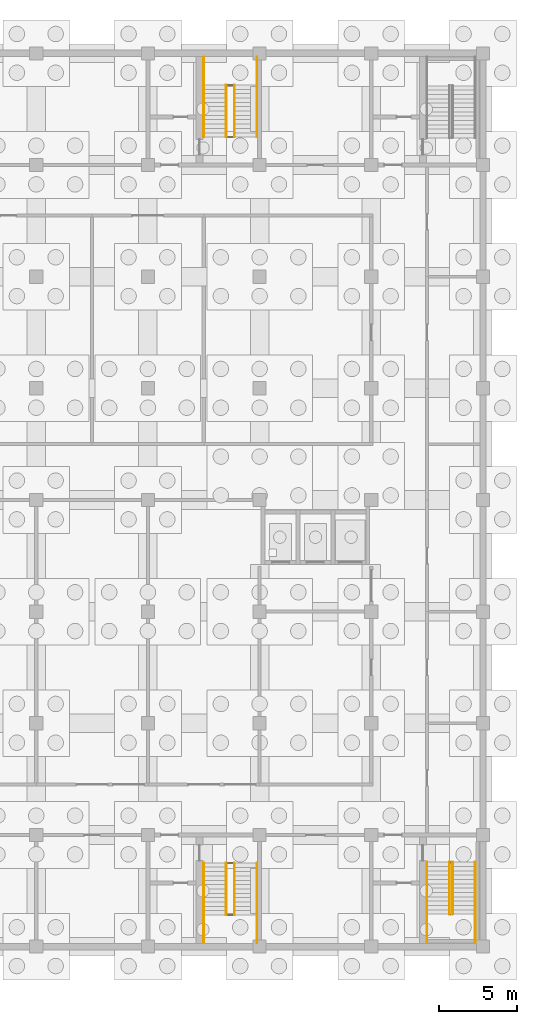
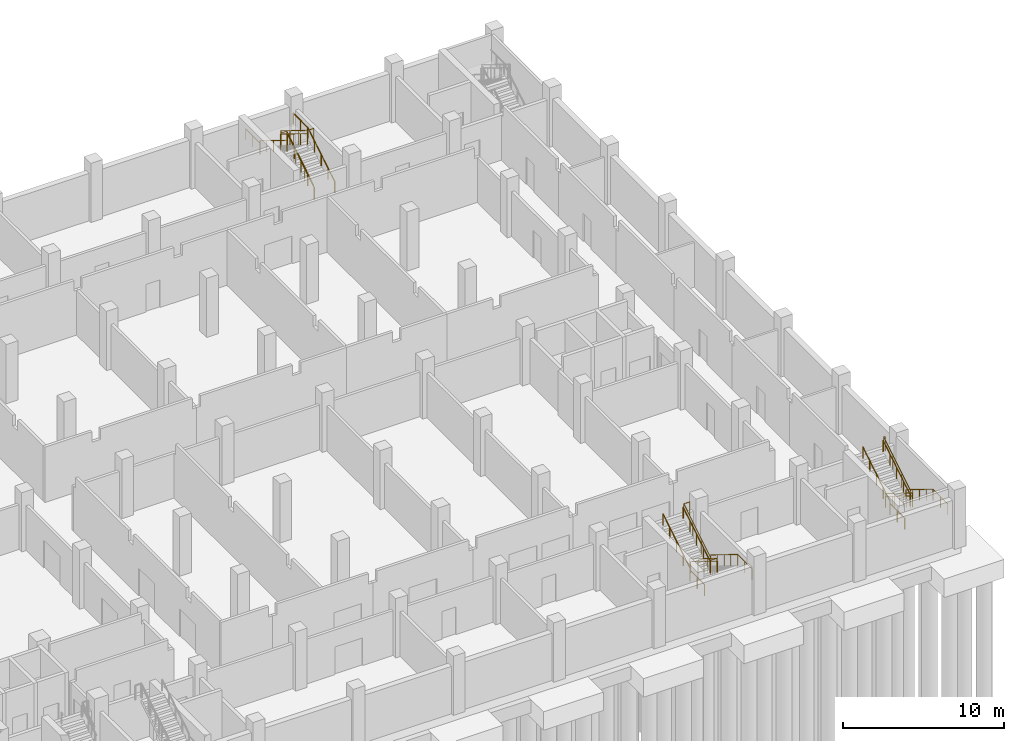
# One storey, part 17 of 19: 15 railings.
"""IFC4 building model written with IfcOpenShell, lengths in metres."""

from ifc_helpers import new_model, si_unit, direction, frame, origin, origin_2d, place, context, subcontext, project, spatial, circle, extrude, material, type_object, element, save


model = new_model("IFC4")

# Units and contexts
model_context = context("Model", 3, precision=1e-05, world=origin(), true_north=direction((0.0, 1.0)))
body_context = subcontext(model_context, "Body", "Model", "MODEL_VIEW")
ifc_project = project(units=[si_unit("LENGTHUNIT", "METRE"), si_unit("AREAUNIT", "SQUARE_METRE"), si_unit("VOLUMEUNIT", "CUBIC_METRE"), si_unit("PLANEANGLEUNIT", "RADIAN"), si_unit("MASSUNIT", "GRAM", prefix="KILO")], contexts=[model_context])

# Site, building, storey
site_placement = place(None, origin())
site = spatial("IfcSite", under=ifc_project, at=site_placement, CompositionType="ELEMENT")
building_placement = place(site_placement, origin())
building = spatial("IfcBuilding", under=site, at=building_placement, Name="Silangan Lancet Faculty of Sciences", CompositionType="ELEMENT")
storey_placement = place(building_placement, frame((0.0, 0.0, -4.5)))
storey = spatial("IfcBuildingStorey", under=building, at=storey_placement, Name="B1", CompositionType="ELEMENT", Elevation=-4.5)

# Railings
ifc_material_1 = material(Name="Steel balustrade", Category="steel")
railing_type_1 = type_object("IfcRailingType", Name="STAIR GUARD 1100", PredefinedType="GUARDRAIL", material=ifc_material_1)
railing_1_placement = place(storey_placement, frame((84.39990234375, 5.449951171875, 0.173095703125)))
element("IfcRailing", 1, at=railing_1_placement, inside=storey, type_object=railing_type_1, Name="GUARD-EB-A-B1", PredefinedType="GUARDRAIL", context=body_context, shape_type="SweptSolid", body=[
    extrude(circle(Radius=0.02392578125, at=origin_2d()), frame((0.0, 0.0, 1.076171875), z_axis=(0.0, -0.850606129759, 0.525803396734), x_axis=(1.0, 0.0, 0.0)), (0.0, 0.0, 1.0), 3.949951171875),
    extrude(circle(Radius=0.02392578125, at=origin_2d()), frame((0.0, -3.35986328125, 3.15283203125), z_axis=(-1.0, 0.0, 0.0), x_axis=(0.0, -1.0, 0.0)), (0.0, 0.0, 1.0), 0.099853515625),
    extrude(circle(Radius=0.02392578125, at=origin_2d()), frame((-0.099853515625, -3.35986328125, 3.15283203125), z_axis=(0.0, 0.0, 1.0), x_axis=(1.0, 0.0, 0.0)), (0.0, 0.0, 1.0), 0.173095703125),
    extrude(circle(Radius=0.02392578125, at=origin_2d()), frame((-0.099853515625, -3.35986328125, 3.326171875), z_axis=(0.0, 0.850606129759, 0.525803396734), x_axis=(-1.0, 0.0, 0.0)), (0.0, 0.0, 1.0), 3.949951171875),
    extrude(circle(Radius=0.02392578125, at=origin_2d()), frame((-0.099853515625, 0.0, 5.40283203125), z_axis=(1.0, 0.0, 0.0), x_axis=(0.0, 1.0, 0.0)), (0.0, 0.0, 1.0), 0.099853515625),
    extrude(circle(Radius=0.02099609375, at=origin_2d()), origin(), (0.0, 0.0, 1.0), 1.052001953125),
    extrude(circle(Radius=0.02099609375, at=origin_2d()), frame((0.0, -1.119873046875, 0.6923828125)), (0.0, 0.0, 1.0), 1.052001953125),
    extrude(circle(Radius=0.02099609375, at=origin_2d()), frame((0.0, -2.239990234375, 1.384521484375)), (0.0, 0.0, 1.0), 1.052001953125),
    extrude(circle(Radius=0.02099609375, at=origin_2d()), frame((0.0, -3.35986328125, 2.076904296875)), (0.0, 0.0, 1.0), 1.052001953125),
    extrude(circle(Radius=0.02099609375, at=origin_2d()), frame((-0.099853515625, -3.35986328125, 2.076904296875)), (0.0, 0.0, 1.0), 1.052001953125),
    extrude(circle(Radius=0.02099609375, at=origin_2d()), frame((-0.099853515625, -3.35986328125, 2.25)), (0.0, 0.0, 1.0), 1.052001953125),
    extrude(circle(Radius=0.02099609375, at=origin_2d()), frame((-0.099853515625, -2.239990234375, 2.9423828125)), (0.0, 0.0, 1.0), 1.052001953125),
    extrude(circle(Radius=0.02099609375, at=origin_2d()), frame((-0.099853515625, -1.119873046875, 3.634521484375)), (0.0, 0.0, 1.0), 1.052001953125),
    extrude(circle(Radius=0.02099609375, at=origin_2d()), frame((-0.099853515625, 0.0, 4.326904296875)), (0.0, 0.0, 1.0), 1.052001953125),
    extrude(circle(Radius=0.02099609375, at=origin_2d()), frame((0.0, 0.0, 4.326904296875)), (0.0, 0.0, 1.0), 1.052001953125),
])
railing_2_placement = place(storey_placement, frame((70.324951171875, 52.199951171875, 0.173095703125)))
element("IfcRailing", 2, at=railing_2_placement, inside=storey, type_object=railing_type_1, Name="GUARD-NAB-B-B1", PredefinedType="GUARDRAIL", context=body_context, shape_type="SweptSolid", body=[
    extrude(circle(Radius=0.02392578125, at=origin_2d()), frame((0.0, 0.0, 1.076171875), z_axis=(0.0, 0.850623216509, 0.525775754039), x_axis=(-1.0, 0.0, 0.0)), (0.0, 0.0, 1.0), 3.9501953125),
    extrude(circle(Radius=0.02392578125, at=origin_2d()), frame((0.0, 3.360107421875, 3.15283203125), z_axis=(-1.0, 0.0, 0.0), x_axis=(0.0, -1.0, 0.0)), (0.0, 0.0, 1.0), 0.425048828125),
    extrude(circle(Radius=0.02392578125, at=origin_2d()), frame((-0.425048828125, 3.360107421875, 3.15283203125), z_axis=(0.0, 0.0, 1.0), x_axis=(1.0, 0.0, 0.0)), (0.0, 0.0, 1.0), 0.173095703125),
    extrude(circle(Radius=0.02392578125, at=origin_2d()), frame((-0.425048828125, 3.360107421875, 3.326171875), z_axis=(0.0, -0.850623216509, 0.525775754039), x_axis=(1.0, 0.0, 0.0)), (0.0, 0.0, 1.0), 3.9501953125),
    extrude(circle(Radius=0.02392578125, at=origin_2d()), frame((-0.425048828125, 0.0, 5.40283203125), z_axis=(1.0, 0.0, 0.0), x_axis=(0.0, 1.0, 0.0)), (0.0, 0.0, 1.0), 0.425048828125),
    extrude(circle(Radius=0.02099609375, at=origin_2d()), origin(), (0.0, 0.0, 1.0), 1.052001953125),
    extrude(circle(Radius=0.02099609375, at=origin_2d()), frame((0.0, 1.1201171875, 0.6923828125)), (0.0, 0.0, 1.0), 1.052001953125),
    extrude(circle(Radius=0.02099609375, at=origin_2d()), frame((0.0, 2.239990234375, 1.384521484375)), (0.0, 0.0, 1.0), 1.052001953125),
    extrude(circle(Radius=0.02099609375, at=origin_2d()), frame((0.0, 3.360107421875, 2.076904296875)), (0.0, 0.0, 1.0), 1.052001953125),
    extrude(circle(Radius=0.02099609375, at=origin_2d()), frame((-0.425048828125, 3.360107421875, 2.076904296875)), (0.0, 0.0, 1.0), 1.052001953125),
    extrude(circle(Radius=0.02099609375, at=origin_2d()), frame((-0.425048828125, 3.360107421875, 2.25)), (0.0, 0.0, 1.0), 1.052001953125),
    extrude(circle(Radius=0.02099609375, at=origin_2d()), frame((-0.425048828125, 2.239990234375, 2.9423828125)), (0.0, 0.0, 1.0), 1.052001953125),
    extrude(circle(Radius=0.02099609375, at=origin_2d()), frame((-0.425048828125, 1.1201171875, 3.634521484375)), (0.0, 0.0, 1.0), 1.052001953125),
    extrude(circle(Radius=0.02099609375, at=origin_2d()), frame((-0.425048828125, 0.0, 4.326904296875)), (0.0, 0.0, 1.0), 1.052001953125),
    extrude(circle(Radius=0.02099609375, at=origin_2d()), frame((0.0, 0.0, 4.326904296875)), (0.0, 0.0, 1.0), 1.052001953125),
])
railing_3_placement = place(storey_placement, frame((70.324951171875, 5.39990234375, 0.173095703125)))
element("IfcRailing", 3, at=railing_3_placement, inside=storey, type_object=railing_type_1, Name="GUARD-SAB-B-B1", PredefinedType="GUARDRAIL", context=body_context, shape_type="SweptSolid", body=[
    extrude(circle(Radius=0.02392578125, at=origin_2d()), frame((0.0, 0.0, 1.076171875), z_axis=(0.0, -0.850606129759, 0.525803396734), x_axis=(1.0, 0.0, 0.0)), (0.0, 0.0, 1.0), 3.949951171875),
    extrude(circle(Radius=0.02392578125, at=origin_2d()), frame((0.0, -3.35986328125, 3.15283203125), z_axis=(-1.0, 0.0, 0.0), x_axis=(0.0, -1.0, 0.0)), (0.0, 0.0, 1.0), 0.425048828125),
    extrude(circle(Radius=0.02392578125, at=origin_2d()), frame((-0.425048828125, -3.35986328125, 3.15283203125), z_axis=(0.0, 0.0, 1.0), x_axis=(1.0, 0.0, 0.0)), (0.0, 0.0, 1.0), 0.173095703125),
    extrude(circle(Radius=0.02392578125, at=origin_2d()), frame((-0.425048828125, -3.35986328125, 3.326171875), z_axis=(0.0, 0.850606129759, 0.525803396734), x_axis=(-1.0, 0.0, 0.0)), (0.0, 0.0, 1.0), 3.949951171875),
    extrude(circle(Radius=0.02392578125, at=origin_2d()), frame((-0.425048828125, 0.0, 5.40283203125), z_axis=(1.0, 0.0, 0.0), x_axis=(0.0, 1.0, 0.0)), (0.0, 0.0, 1.0), 0.425048828125),
    extrude(circle(Radius=0.02099609375, at=origin_2d()), origin(), (0.0, 0.0, 1.0), 1.052001953125),
    extrude(circle(Radius=0.02099609375, at=origin_2d()), frame((0.0, -1.119873046875, 0.6923828125)), (0.0, 0.0, 1.0), 1.052001953125),
    extrude(circle(Radius=0.02099609375, at=origin_2d()), frame((0.0, -2.239990234375, 1.384521484375)), (0.0, 0.0, 1.0), 1.052001953125),
    extrude(circle(Radius=0.02099609375, at=origin_2d()), frame((0.0, -3.35986328125, 2.076904296875)), (0.0, 0.0, 1.0), 1.052001953125),
    extrude(circle(Radius=0.02099609375, at=origin_2d()), frame((-0.425048828125, -3.35986328125, 2.076904296875)), (0.0, 0.0, 1.0), 1.052001953125),
    extrude(circle(Radius=0.02099609375, at=origin_2d()), frame((-0.425048828125, -3.35986328125, 2.25)), (0.0, 0.0, 1.0), 1.052001953125),
    extrude(circle(Radius=0.02099609375, at=origin_2d()), frame((-0.425048828125, -2.239990234375, 2.9423828125)), (0.0, 0.0, 1.0), 1.052001953125),
    extrude(circle(Radius=0.02099609375, at=origin_2d()), frame((-0.425048828125, -1.119873046875, 3.634521484375)), (0.0, 0.0, 1.0), 1.052001953125),
    extrude(circle(Radius=0.02099609375, at=origin_2d()), frame((-0.425048828125, 0.0, 4.326904296875)), (0.0, 0.0, 1.0), 1.052001953125),
    extrude(circle(Radius=0.02099609375, at=origin_2d()), frame((0.0, 0.0, 4.326904296875)), (0.0, 0.0, 1.0), 1.052001953125),
])
ifc_material_2 = material(Name="Stainless steel", Category="steel")
railing_type_2 = type_object("IfcRailingType", Name="STAIR HANDRAIL 865", PredefinedType="HANDRAIL", material=ifc_material_2)
railing_4_placement = place(storey_placement, frame((85.89990234375, 5.449951171875, 0.173095703125)))
element("IfcRailing", 4, at=railing_4_placement, inside=storey, type_object=railing_type_2, Name="HANDRAIL-EB-A-B1-O1", PredefinedType="HANDRAIL", context=body_context, shape_type="SweptSolid", body=[
    extrude(circle(Radius=0.02392578125, at=origin_2d()), frame((0.0, 0.0, 0.8408203125), z_axis=(0.0, -0.850544299321, 0.52590340833), x_axis=(1.0, 0.0, 0.0)), (0.0, 0.0, 1.0), 0.9873046875),
    extrude(circle(Radius=0.02392578125, at=origin_2d()), frame((0.0, -0.83984375, 1.3603515625), z_axis=(0.0, -0.850723215571, 0.525613936734), x_axis=(1.0, 0.0, 0.0)), (0.0, 0.0, 1.0), 0.987548828125),
    extrude(circle(Radius=0.02392578125, at=origin_2d()), frame((0.0, -1.679931640625, 1.87939453125), z_axis=(0.0, -0.85061266112, 0.525792830631), x_axis=(1.0, 0.0, 0.0)), (0.0, 0.0, 1.0), 0.987548828125),
    extrude(circle(Radius=0.02392578125, at=origin_2d()), frame((0.0, -2.52001953125, 2.3984375), z_axis=(0.0, -0.850544299321, 0.52590340833), x_axis=(1.0, 0.0, 0.0)), (0.0, 0.0, 1.0), 0.9873046875),
    extrude(circle(Radius=0.02392578125, at=origin_2d()), frame((0.0, -3.35986328125, 2.91796875), z_axis=(0.0, -1.0, 0.0), x_axis=(1.0, 0.0, 0.0)), (0.0, 0.0, 1.0), 1.840087890625),
    extrude(circle(Radius=0.02099609375, at=origin_2d()), origin(), (0.0, 0.0, 1.0), 0.81689453125),
    extrude(circle(Radius=0.02099609375, at=origin_2d()), frame((0.0, -0.83984375, 0.519287109375)), (0.0, 0.0, 1.0), 0.81689453125),
    extrude(circle(Radius=0.02099609375, at=origin_2d()), frame((0.0, -1.679931640625, 1.038330078125)), (0.0, 0.0, 1.0), 0.81689453125),
    extrude(circle(Radius=0.02099609375, at=origin_2d()), frame((0.0, -2.52001953125, 1.5576171875)), (0.0, 0.0, 1.0), 0.81689453125),
    extrude(circle(Radius=0.02099609375, at=origin_2d()), frame((0.0, -3.35986328125, 2.076904296875)), (0.0, 0.0, 1.0), 0.81689453125),
    extrude(circle(Radius=0.02099609375, at=origin_2d()), frame((0.0, -4.27978515625, 2.076904296875)), (0.0, 0.0, 1.0), 0.81689453125),
    extrude(circle(Radius=0.02099609375, at=origin_2d()), frame((0.0, -5.199951171875, 2.076904296875)), (0.0, 0.0, 1.0), 0.81689453125),
])
railing_5_placement = place(storey_placement, frame((84.449951171875, 5.449951171875, 0.173095703125)))
element("IfcRailing", 5, at=railing_5_placement, inside=storey, type_object=railing_type_2, Name="HANDRAIL-EB-A-B1-I1", PredefinedType="HANDRAIL", context=body_context, shape_type="SweptSolid", body=[
    extrude(circle(Radius=0.02392578125, at=origin_2d()), frame((0.0, 0.0, 0.8408203125), z_axis=(0.0, -0.850544299321, 0.52590340833), x_axis=(1.0, 0.0, 0.0)), (0.0, 0.0, 1.0), 0.9873046875),
    extrude(circle(Radius=0.02392578125, at=origin_2d()), frame((0.0, -0.83984375, 1.3603515625), z_axis=(0.0, -0.850723215571, 0.525613936734), x_axis=(1.0, 0.0, 0.0)), (0.0, 0.0, 1.0), 0.987548828125),
    extrude(circle(Radius=0.02392578125, at=origin_2d()), frame((0.0, -1.679931640625, 1.87939453125), z_axis=(0.0, -0.85061266112, 0.525792830631), x_axis=(1.0, 0.0, 0.0)), (0.0, 0.0, 1.0), 0.987548828125),
    extrude(circle(Radius=0.02392578125, at=origin_2d()), frame((0.0, -2.52001953125, 2.3984375), z_axis=(0.0, -0.850544299321, 0.52590340833), x_axis=(1.0, 0.0, 0.0)), (0.0, 0.0, 1.0), 0.9873046875),
    extrude(circle(Radius=0.02099609375, at=origin_2d()), origin(), (0.0, 0.0, 1.0), 0.81689453125),
    extrude(circle(Radius=0.02099609375, at=origin_2d()), frame((0.0, -0.83984375, 0.519287109375)), (0.0, 0.0, 1.0), 0.81689453125),
    extrude(circle(Radius=0.02099609375, at=origin_2d()), frame((0.0, -1.679931640625, 1.038330078125)), (0.0, 0.0, 1.0), 0.81689453125),
    extrude(circle(Radius=0.02099609375, at=origin_2d()), frame((0.0, -2.52001953125, 1.5576171875)), (0.0, 0.0, 1.0), 0.81689453125),
    extrude(circle(Radius=0.02099609375, at=origin_2d()), frame((0.0, -3.35986328125, 2.076904296875)), (0.0, 0.0, 1.0), 0.81689453125),
])
railing_6_placement = place(storey_placement, frame((82.800048828125, 0.25, 2.25)))
element("IfcRailing", 6, at=railing_6_placement, inside=storey, type_object=railing_type_2, Name="HANDRAIL-EB-A-B1-O2", PredefinedType="HANDRAIL", context=body_context, shape_type="SweptSolid", body=[
    extrude(circle(Radius=0.02392578125, at=origin_2d()), frame((0.0, 0.0, 0.8408203125), z_axis=(0.0, 1.0, 0.0), x_axis=(-1.0, 0.0, 0.0)), (0.0, 0.0, 1.0), 1.840087890625),
    extrude(circle(Radius=0.02392578125, at=origin_2d()), frame((0.0, 1.840087890625, 0.8408203125), z_axis=(0.0, 0.0, 1.0), x_axis=(1.0, 0.0, 0.0)), (0.0, 0.0, 1.0), 0.173095703125),
    extrude(circle(Radius=0.02392578125, at=origin_2d()), frame((0.0, 1.840087890625, 1.01416015625), z_axis=(0.0, 0.850544299321, 0.52590340833), x_axis=(-1.0, 0.0, 0.0)), (0.0, 0.0, 1.0), 0.9873046875),
    extrude(circle(Radius=0.02392578125, at=origin_2d()), frame((0.0, 2.679931640625, 1.533203125), z_axis=(0.0, 0.850723215571, 0.525613936734), x_axis=(-1.0, 0.0, 0.0)), (0.0, 0.0, 1.0), 0.987548828125),
    extrude(circle(Radius=0.02392578125, at=origin_2d()), frame((0.0, 3.52001953125, 2.05224609375), z_axis=(0.0, 0.85061266112, 0.525792830631), x_axis=(-1.0, 0.0, 0.0)), (0.0, 0.0, 1.0), 0.987548828125),
    extrude(circle(Radius=0.02392578125, at=origin_2d()), frame((0.0, 4.360107421875, 2.57177734375), z_axis=(0.0, 0.850544299321, 0.52590340833), x_axis=(-1.0, 0.0, 0.0)), (0.0, 0.0, 1.0), 0.9873046875),
    extrude(circle(Radius=0.02099609375, at=origin_2d()), origin(), (0.0, 0.0, 1.0), 0.81689453125),
    extrude(circle(Radius=0.02099609375, at=origin_2d()), frame((0.0, 0.919921875, 0.0)), (0.0, 0.0, 1.0), 0.81689453125),
    extrude(circle(Radius=0.02099609375, at=origin_2d()), frame((0.0, 1.840087890625, 0.0)), (0.0, 0.0, 1.0), 0.81689453125),
    extrude(circle(Radius=0.02099609375, at=origin_2d()), frame((0.0, 1.840087890625, 0.173095703125)), (0.0, 0.0, 1.0), 0.81689453125),
    extrude(circle(Radius=0.02099609375, at=origin_2d()), frame((0.0, 2.679931640625, 0.6923828125)), (0.0, 0.0, 1.0), 0.81689453125),
    extrude(circle(Radius=0.02099609375, at=origin_2d()), frame((0.0, 3.52001953125, 1.21142578125)), (0.0, 0.0, 1.0), 0.81689453125),
    extrude(circle(Radius=0.02099609375, at=origin_2d()), frame((0.0, 4.360107421875, 1.730712890625)), (0.0, 0.0, 1.0), 0.81689453125),
    extrude(circle(Radius=0.02099609375, at=origin_2d()), frame((0.0, 5.199951171875, 2.25)), (0.0, 0.0, 1.0), 0.81689453125),
])
railing_7_placement = place(storey_placement, frame((84.25, 2.090087890625, 2.423095703125)))
element("IfcRailing", 7, at=railing_7_placement, inside=storey, type_object=railing_type_2, Name="HANDRAIL-EB-A-B1-I2", PredefinedType="HANDRAIL", context=body_context, shape_type="SweptSolid", body=[
    extrude(circle(Radius=0.02392578125, at=origin_2d()), frame((0.0, 0.0, 0.8408203125), z_axis=(0.0, 0.850544299321, 0.52590340833), x_axis=(-1.0, 0.0, 0.0)), (0.0, 0.0, 1.0), 0.9873046875),
    extrude(circle(Radius=0.02392578125, at=origin_2d()), frame((0.0, 0.83984375, 1.3603515625), z_axis=(0.0, 0.850723215571, 0.525613936734), x_axis=(-1.0, 0.0, 0.0)), (0.0, 0.0, 1.0), 0.987548828125),
    extrude(circle(Radius=0.02392578125, at=origin_2d()), frame((0.0, 1.679931640625, 1.87939453125), z_axis=(0.0, 0.85061266112, 0.525792830631), x_axis=(-1.0, 0.0, 0.0)), (0.0, 0.0, 1.0), 0.987548828125),
    extrude(circle(Radius=0.02392578125, at=origin_2d()), frame((0.0, 2.52001953125, 2.3984375), z_axis=(0.0, 0.850544299321, 0.52590340833), x_axis=(-1.0, 0.0, 0.0)), (0.0, 0.0, 1.0), 0.9873046875),
    extrude(circle(Radius=0.02099609375, at=origin_2d()), origin(), (0.0, 0.0, 1.0), 0.81689453125),
    extrude(circle(Radius=0.02099609375, at=origin_2d()), frame((0.0, 0.83984375, 0.519287109375)), (0.0, 0.0, 1.0), 0.81689453125),
    extrude(circle(Radius=0.02099609375, at=origin_2d()), frame((0.0, 1.679931640625, 1.038330078125)), (0.0, 0.0, 1.0), 0.81689453125),
    extrude(circle(Radius=0.02099609375, at=origin_2d()), frame((0.0, 2.52001953125, 1.5576171875)), (0.0, 0.0, 1.0), 0.81689453125),
    extrude(circle(Radius=0.02099609375, at=origin_2d()), frame((0.0, 3.35986328125, 2.076904296875)), (0.0, 0.0, 1.0), 0.81689453125),
])
railing_8_placement = place(storey_placement, frame((71.824951171875, 52.199951171875, 0.173095703125)))
element("IfcRailing", 8, at=railing_8_placement, inside=storey, type_object=railing_type_2, Name="HANDRAIL-NAB-B-B1-O1", PredefinedType="HANDRAIL", context=body_context, shape_type="SweptSolid", body=[
    extrude(circle(Radius=0.02392578125, at=origin_2d()), frame((0.0, 0.0, 0.8408203125), z_axis=(0.0, 0.85061266112, 0.525792830631), x_axis=(-1.0, 0.0, 0.0)), (0.0, 0.0, 1.0), 0.987548828125),
    extrude(circle(Radius=0.02392578125, at=origin_2d()), frame((0.0, 0.840087890625, 1.3603515625), z_axis=(0.0, 0.850654891397, 0.525724505556), x_axis=(-1.0, 0.0, 0.0)), (0.0, 0.0, 1.0), 0.9873046875),
    extrude(circle(Radius=0.02392578125, at=origin_2d()), frame((0.0, 1.679931640625, 1.87939453125), z_axis=(0.0, 0.85061266112, 0.525792830631), x_axis=(-1.0, 0.0, 0.0)), (0.0, 0.0, 1.0), 0.987548828125),
    extrude(circle(Radius=0.02392578125, at=origin_2d()), frame((0.0, 2.52001953125, 2.3984375), z_axis=(0.0, 0.85061266112, 0.525792830631), x_axis=(-1.0, 0.0, 0.0)), (0.0, 0.0, 1.0), 0.987548828125),
    extrude(circle(Radius=0.02392578125, at=origin_2d()), frame((0.0, 3.360107421875, 2.91796875), z_axis=(0.0, 1.0, 0.0), x_axis=(-1.0, 0.0, 0.0)), (0.0, 0.0, 1.0), 1.7900390625),
    extrude(circle(Radius=0.02099609375, at=origin_2d()), origin(), (0.0, 0.0, 1.0), 0.81689453125),
    extrude(circle(Radius=0.02099609375, at=origin_2d()), frame((0.0, 0.840087890625, 0.519287109375)), (0.0, 0.0, 1.0), 0.81689453125),
    extrude(circle(Radius=0.02099609375, at=origin_2d()), frame((0.0, 1.679931640625, 1.038330078125)), (0.0, 0.0, 1.0), 0.81689453125),
    extrude(circle(Radius=0.02099609375, at=origin_2d()), frame((0.0, 2.52001953125, 1.5576171875)), (0.0, 0.0, 1.0), 0.81689453125),
    extrude(circle(Radius=0.02099609375, at=origin_2d()), frame((0.0, 3.360107421875, 2.076904296875)), (0.0, 0.0, 1.0), 0.81689453125),
    extrude(circle(Radius=0.02099609375, at=origin_2d()), frame((0.0, 4.255126953125, 2.076904296875)), (0.0, 0.0, 1.0), 0.81689453125),
    extrude(circle(Radius=0.02099609375, at=origin_2d()), frame((0.0, 5.150146484375, 2.076904296875)), (0.0, 0.0, 1.0), 0.81689453125),
])
railing_9_placement = place(storey_placement, frame((70.375, 52.199951171875, 0.173095703125)))
element("IfcRailing", 9, at=railing_9_placement, inside=storey, type_object=railing_type_2, Name="HANDRAIL-NAB-B-B1-I1", PredefinedType="HANDRAIL", context=body_context, shape_type="SweptSolid", body=[
    extrude(circle(Radius=0.02392578125, at=origin_2d()), frame((0.0, 0.0, 0.8408203125), z_axis=(0.0, 0.85061266112, 0.525792830631), x_axis=(-1.0, 0.0, 0.0)), (0.0, 0.0, 1.0), 0.987548828125),
    extrude(circle(Radius=0.02392578125, at=origin_2d()), frame((0.0, 0.840087890625, 1.3603515625), z_axis=(0.0, 0.850654891397, 0.525724505556), x_axis=(-1.0, 0.0, 0.0)), (0.0, 0.0, 1.0), 0.9873046875),
    extrude(circle(Radius=0.02392578125, at=origin_2d()), frame((0.0, 1.679931640625, 1.87939453125), z_axis=(0.0, 0.85061266112, 0.525792830631), x_axis=(-1.0, 0.0, 0.0)), (0.0, 0.0, 1.0), 0.987548828125),
    extrude(circle(Radius=0.02392578125, at=origin_2d()), frame((0.0, 2.52001953125, 2.3984375), z_axis=(0.0, 0.85061266112, 0.525792830631), x_axis=(-1.0, 0.0, 0.0)), (0.0, 0.0, 1.0), 0.987548828125),
    extrude(circle(Radius=0.02099609375, at=origin_2d()), origin(), (0.0, 0.0, 1.0), 0.81689453125),
    extrude(circle(Radius=0.02099609375, at=origin_2d()), frame((0.0, 0.840087890625, 0.519287109375)), (0.0, 0.0, 1.0), 0.81689453125),
    extrude(circle(Radius=0.02099609375, at=origin_2d()), frame((0.0, 1.679931640625, 1.038330078125)), (0.0, 0.0, 1.0), 0.81689453125),
    extrude(circle(Radius=0.02099609375, at=origin_2d()), frame((0.0, 2.52001953125, 1.5576171875)), (0.0, 0.0, 1.0), 0.81689453125),
    extrude(circle(Radius=0.02099609375, at=origin_2d()), frame((0.0, 3.360107421875, 2.076904296875)), (0.0, 0.0, 1.0), 0.81689453125),
])
railing_10_placement = place(storey_placement, frame((68.39990234375, 57.35009765625, 2.25)))
element("IfcRailing", 10, at=railing_10_placement, inside=storey, type_object=railing_type_2, Name="HANDRAIL-NAB-B-B1-O2", PredefinedType="HANDRAIL", context=body_context, shape_type="SweptSolid", body=[
    extrude(circle(Radius=0.02392578125, at=origin_2d()), frame((0.0, 0.0, 0.8408203125), z_axis=(0.0, -1.0, 0.0), x_axis=(1.0, 0.0, 0.0)), (0.0, 0.0, 1.0), 1.7900390625),
    extrude(circle(Radius=0.02392578125, at=origin_2d()), frame((0.0, -1.7900390625, 0.8408203125), z_axis=(0.0, 0.0, 1.0), x_axis=(1.0, 0.0, 0.0)), (0.0, 0.0, 1.0), 0.173095703125),
    extrude(circle(Radius=0.02392578125, at=origin_2d()), frame((0.0, -1.7900390625, 1.01416015625), z_axis=(0.0, -0.85061266112, 0.525792830631), x_axis=(1.0, 0.0, 0.0)), (0.0, 0.0, 1.0), 0.987548828125),
    extrude(circle(Radius=0.02392578125, at=origin_2d()), frame((0.0, -2.630126953125, 1.533203125), z_axis=(0.0, -0.850723215571, 0.525613936734), x_axis=(1.0, 0.0, 0.0)), (0.0, 0.0, 1.0), 0.987548828125),
    extrude(circle(Radius=0.02392578125, at=origin_2d()), frame((0.0, -3.47021484375, 2.05224609375), z_axis=(0.0, -0.850544299321, 0.52590340833), x_axis=(1.0, 0.0, 0.0)), (0.0, 0.0, 1.0), 0.9873046875),
    extrude(circle(Radius=0.02392578125, at=origin_2d()), frame((0.0, -4.31005859375, 2.57177734375), z_axis=(0.0, -0.85061266112, 0.525792830631), x_axis=(1.0, 0.0, 0.0)), (0.0, 0.0, 1.0), 0.987548828125),
    extrude(circle(Radius=0.02099609375, at=origin_2d()), origin(), (0.0, 0.0, 1.0), 0.81689453125),
    extrude(circle(Radius=0.02099609375, at=origin_2d()), frame((0.0, -0.89501953125, 0.0)), (0.0, 0.0, 1.0), 0.81689453125),
    extrude(circle(Radius=0.02099609375, at=origin_2d()), frame((0.0, -1.7900390625, 0.0)), (0.0, 0.0, 1.0), 0.81689453125),
    extrude(circle(Radius=0.02099609375, at=origin_2d()), frame((0.0, -1.7900390625, 0.173095703125)), (0.0, 0.0, 1.0), 0.81689453125),
    extrude(circle(Radius=0.02099609375, at=origin_2d()), frame((0.0, -2.630126953125, 0.6923828125)), (0.0, 0.0, 1.0), 0.81689453125),
    extrude(circle(Radius=0.02099609375, at=origin_2d()), frame((0.0, -3.47021484375, 1.21142578125)), (0.0, 0.0, 1.0), 0.81689453125),
    extrude(circle(Radius=0.02099609375, at=origin_2d()), frame((0.0, -4.31005859375, 1.730712890625)), (0.0, 0.0, 1.0), 0.81689453125),
    extrude(circle(Radius=0.02099609375, at=origin_2d()), frame((0.0, -5.150146484375, 2.25)), (0.0, 0.0, 1.0), 0.81689453125),
])
railing_11_placement = place(storey_placement, frame((69.85009765625, 55.56005859375, 2.423095703125)))
element("IfcRailing", 11, at=railing_11_placement, inside=storey, type_object=railing_type_2, Name="HANDRAIL-NAB-B-B1-I2", PredefinedType="HANDRAIL", context=body_context, shape_type="SweptSolid", body=[
    extrude(circle(Radius=0.02392578125, at=origin_2d()), frame((0.0, 0.0, 0.8408203125), z_axis=(0.0, -0.85061266112, 0.525792830631), x_axis=(1.0, 0.0, 0.0)), (0.0, 0.0, 1.0), 0.987548828125),
    extrude(circle(Radius=0.02392578125, at=origin_2d()), frame((0.0, -0.840087890625, 1.3603515625), z_axis=(0.0, -0.850723215571, 0.525613936734), x_axis=(1.0, 0.0, 0.0)), (0.0, 0.0, 1.0), 0.987548828125),
    extrude(circle(Radius=0.02392578125, at=origin_2d()), frame((0.0, -1.68017578125, 1.87939453125), z_axis=(0.0, -0.850544299321, 0.52590340833), x_axis=(1.0, 0.0, 0.0)), (0.0, 0.0, 1.0), 0.9873046875),
    extrude(circle(Radius=0.02392578125, at=origin_2d()), frame((0.0, -2.52001953125, 2.3984375), z_axis=(0.0, -0.85061266112, 0.525792830631), x_axis=(1.0, 0.0, 0.0)), (0.0, 0.0, 1.0), 0.987548828125),
    extrude(circle(Radius=0.02099609375, at=origin_2d()), origin(), (0.0, 0.0, 1.0), 0.81689453125),
    extrude(circle(Radius=0.02099609375, at=origin_2d()), frame((0.0, -0.840087890625, 0.519287109375)), (0.0, 0.0, 1.0), 0.81689453125),
    extrude(circle(Radius=0.02099609375, at=origin_2d()), frame((0.0, -1.68017578125, 1.038330078125)), (0.0, 0.0, 1.0), 0.81689453125),
    extrude(circle(Radius=0.02099609375, at=origin_2d()), frame((0.0, -2.52001953125, 1.5576171875)), (0.0, 0.0, 1.0), 0.81689453125),
    extrude(circle(Radius=0.02099609375, at=origin_2d()), frame((0.0, -3.360107421875, 2.076904296875)), (0.0, 0.0, 1.0), 0.81689453125),
])
railing_12_placement = place(storey_placement, frame((71.824951171875, 5.39990234375, 0.173095703125)))
element("IfcRailing", 12, at=railing_12_placement, inside=storey, type_object=railing_type_2, Name="HANDRAIL-SAB-B-B1-O1", PredefinedType="HANDRAIL", context=body_context, shape_type="SweptSolid", body=[
    extrude(circle(Radius=0.02392578125, at=origin_2d()), frame((0.0, 0.0, 0.8408203125), z_axis=(0.0, -0.850544299321, 0.52590340833), x_axis=(1.0, 0.0, 0.0)), (0.0, 0.0, 1.0), 0.9873046875),
    extrude(circle(Radius=0.02392578125, at=origin_2d()), frame((0.0, -0.83984375, 1.3603515625), z_axis=(0.0, -0.850723215571, 0.525613936734), x_axis=(1.0, 0.0, 0.0)), (0.0, 0.0, 1.0), 0.987548828125),
    extrude(circle(Radius=0.02392578125, at=origin_2d()), frame((0.0, -1.679931640625, 1.87939453125), z_axis=(0.0, -0.85061266112, 0.525792830631), x_axis=(1.0, 0.0, 0.0)), (0.0, 0.0, 1.0), 0.987548828125),
    extrude(circle(Radius=0.02392578125, at=origin_2d()), frame((0.0, -2.52001953125, 2.3984375), z_axis=(0.0, -0.850544299321, 0.52590340833), x_axis=(1.0, 0.0, 0.0)), (0.0, 0.0, 1.0), 0.9873046875),
    extrude(circle(Radius=0.02392578125, at=origin_2d()), frame((0.0, -3.35986328125, 2.91796875), z_axis=(0.0, -1.0, 0.0), x_axis=(1.0, 0.0, 0.0)), (0.0, 0.0, 1.0), 1.7900390625),
    extrude(circle(Radius=0.02099609375, at=origin_2d()), origin(), (0.0, 0.0, 1.0), 0.81689453125),
    extrude(circle(Radius=0.02099609375, at=origin_2d()), frame((0.0, -0.83984375, 0.519287109375)), (0.0, 0.0, 1.0), 0.81689453125),
    extrude(circle(Radius=0.02099609375, at=origin_2d()), frame((0.0, -1.679931640625, 1.038330078125)), (0.0, 0.0, 1.0), 0.81689453125),
    extrude(circle(Radius=0.02099609375, at=origin_2d()), frame((0.0, -2.52001953125, 1.5576171875)), (0.0, 0.0, 1.0), 0.81689453125),
    extrude(circle(Radius=0.02099609375, at=origin_2d()), frame((0.0, -3.35986328125, 2.076904296875)), (0.0, 0.0, 1.0), 0.81689453125),
    extrude(circle(Radius=0.02099609375, at=origin_2d()), frame((0.0, -4.2548828125, 2.076904296875)), (0.0, 0.0, 1.0), 0.81689453125),
    extrude(circle(Radius=0.02099609375, at=origin_2d()), frame((0.0, -5.14990234375, 2.076904296875)), (0.0, 0.0, 1.0), 0.81689453125),
])
railing_13_placement = place(storey_placement, frame((70.375, 5.39990234375, 0.173095703125)))
element("IfcRailing", 13, at=railing_13_placement, inside=storey, type_object=railing_type_2, Name="HANDRAIL-SAB-B-B1-I1", PredefinedType="HANDRAIL", context=body_context, shape_type="SweptSolid", body=[
    extrude(circle(Radius=0.02392578125, at=origin_2d()), frame((0.0, 0.0, 0.8408203125), z_axis=(0.0, -0.850544299321, 0.52590340833), x_axis=(1.0, 0.0, 0.0)), (0.0, 0.0, 1.0), 0.9873046875),
    extrude(circle(Radius=0.02392578125, at=origin_2d()), frame((0.0, -0.83984375, 1.3603515625), z_axis=(0.0, -0.850723215571, 0.525613936734), x_axis=(1.0, 0.0, 0.0)), (0.0, 0.0, 1.0), 0.987548828125),
    extrude(circle(Radius=0.02392578125, at=origin_2d()), frame((0.0, -1.679931640625, 1.87939453125), z_axis=(0.0, -0.85061266112, 0.525792830631), x_axis=(1.0, 0.0, 0.0)), (0.0, 0.0, 1.0), 0.987548828125),
    extrude(circle(Radius=0.02392578125, at=origin_2d()), frame((0.0, -2.52001953125, 2.3984375), z_axis=(0.0, -0.850544299321, 0.52590340833), x_axis=(1.0, 0.0, 0.0)), (0.0, 0.0, 1.0), 0.9873046875),
    extrude(circle(Radius=0.02099609375, at=origin_2d()), origin(), (0.0, 0.0, 1.0), 0.81689453125),
    extrude(circle(Radius=0.02099609375, at=origin_2d()), frame((0.0, -0.83984375, 0.519287109375)), (0.0, 0.0, 1.0), 0.81689453125),
    extrude(circle(Radius=0.02099609375, at=origin_2d()), frame((0.0, -1.679931640625, 1.038330078125)), (0.0, 0.0, 1.0), 0.81689453125),
    extrude(circle(Radius=0.02099609375, at=origin_2d()), frame((0.0, -2.52001953125, 1.5576171875)), (0.0, 0.0, 1.0), 0.81689453125),
    extrude(circle(Radius=0.02099609375, at=origin_2d()), frame((0.0, -3.35986328125, 2.076904296875)), (0.0, 0.0, 1.0), 0.81689453125),
])
railing_14_placement = place(storey_placement, frame((68.39990234375, 0.25, 2.25)))
element("IfcRailing", 14, at=railing_14_placement, inside=storey, type_object=railing_type_2, Name="HANDRAIL-SAB-B-B1-O2", PredefinedType="HANDRAIL", context=body_context, shape_type="SweptSolid", body=[
    extrude(circle(Radius=0.02392578125, at=origin_2d()), frame((0.0, 0.0, 0.8408203125), z_axis=(0.0, 1.0, 0.0), x_axis=(-1.0, 0.0, 0.0)), (0.0, 0.0, 1.0), 1.7900390625),
    extrude(circle(Radius=0.02392578125, at=origin_2d()), frame((0.0, 1.7900390625, 0.8408203125), z_axis=(0.0, 0.0, 1.0), x_axis=(1.0, 0.0, 0.0)), (0.0, 0.0, 1.0), 0.173095703125),
    extrude(circle(Radius=0.02392578125, at=origin_2d()), frame((0.0, 1.7900390625, 1.01416015625), z_axis=(0.0, 0.850544299321, 0.52590340833), x_axis=(-1.0, 0.0, 0.0)), (0.0, 0.0, 1.0), 0.9873046875),
    extrude(circle(Radius=0.02392578125, at=origin_2d()), frame((0.0, 2.6298828125, 1.533203125), z_axis=(0.0, 0.850723215571, 0.525613936734), x_axis=(-1.0, 0.0, 0.0)), (0.0, 0.0, 1.0), 0.987548828125),
    extrude(circle(Radius=0.02392578125, at=origin_2d()), frame((0.0, 3.469970703125, 2.05224609375), z_axis=(0.0, 0.85061266112, 0.525792830631), x_axis=(-1.0, 0.0, 0.0)), (0.0, 0.0, 1.0), 0.987548828125),
    extrude(circle(Radius=0.02392578125, at=origin_2d()), frame((0.0, 4.31005859375, 2.57177734375), z_axis=(0.0, 0.850544299321, 0.52590340833), x_axis=(-1.0, 0.0, 0.0)), (0.0, 0.0, 1.0), 0.9873046875),
    extrude(circle(Radius=0.02099609375, at=origin_2d()), origin(), (0.0, 0.0, 1.0), 0.81689453125),
    extrude(circle(Radius=0.02099609375, at=origin_2d()), frame((0.0, 0.89501953125, 0.0)), (0.0, 0.0, 1.0), 0.81689453125),
    extrude(circle(Radius=0.02099609375, at=origin_2d()), frame((0.0, 1.7900390625, 0.0)), (0.0, 0.0, 1.0), 0.81689453125),
    extrude(circle(Radius=0.02099609375, at=origin_2d()), frame((0.0, 1.7900390625, 0.173095703125)), (0.0, 0.0, 1.0), 0.81689453125),
    extrude(circle(Radius=0.02099609375, at=origin_2d()), frame((0.0, 2.6298828125, 0.6923828125)), (0.0, 0.0, 1.0), 0.81689453125),
    extrude(circle(Radius=0.02099609375, at=origin_2d()), frame((0.0, 3.469970703125, 1.21142578125)), (0.0, 0.0, 1.0), 0.81689453125),
    extrude(circle(Radius=0.02099609375, at=origin_2d()), frame((0.0, 4.31005859375, 1.730712890625)), (0.0, 0.0, 1.0), 0.81689453125),
    extrude(circle(Radius=0.02099609375, at=origin_2d()), frame((0.0, 5.14990234375, 2.25)), (0.0, 0.0, 1.0), 0.81689453125),
])
railing_15_placement = place(storey_placement, frame((69.85009765625, 2.0400390625, 2.423095703125)))
element("IfcRailing", 15, at=railing_15_placement, inside=storey, type_object=railing_type_2, Name="HANDRAIL-SAB-B-B1-I2", PredefinedType="HANDRAIL", context=body_context, shape_type="SweptSolid", body=[
    extrude(circle(Radius=0.02392578125, at=origin_2d()), frame((0.0, 0.0, 0.8408203125), z_axis=(0.0, 0.850544299321, 0.52590340833), x_axis=(-1.0, 0.0, 0.0)), (0.0, 0.0, 1.0), 0.9873046875),
    extrude(circle(Radius=0.02392578125, at=origin_2d()), frame((0.0, 0.83984375, 1.3603515625), z_axis=(0.0, 0.850723215571, 0.525613936734), x_axis=(-1.0, 0.0, 0.0)), (0.0, 0.0, 1.0), 0.987548828125),
    extrude(circle(Radius=0.02392578125, at=origin_2d()), frame((0.0, 1.679931640625, 1.87939453125), z_axis=(0.0, 0.85061266112, 0.525792830631), x_axis=(-1.0, 0.0, 0.0)), (0.0, 0.0, 1.0), 0.987548828125),
    extrude(circle(Radius=0.02392578125, at=origin_2d()), frame((0.0, 2.52001953125, 2.3984375), z_axis=(0.0, 0.850544299321, 0.52590340833), x_axis=(-1.0, 0.0, 0.0)), (0.0, 0.0, 1.0), 0.9873046875),
    extrude(circle(Radius=0.02099609375, at=origin_2d()), origin(), (0.0, 0.0, 1.0), 0.81689453125),
    extrude(circle(Radius=0.02099609375, at=origin_2d()), frame((0.0, 0.83984375, 0.519287109375)), (0.0, 0.0, 1.0), 0.81689453125),
    extrude(circle(Radius=0.02099609375, at=origin_2d()), frame((0.0, 1.679931640625, 1.038330078125)), (0.0, 0.0, 1.0), 0.81689453125),
    extrude(circle(Radius=0.02099609375, at=origin_2d()), frame((0.0, 2.52001953125, 1.5576171875)), (0.0, 0.0, 1.0), 0.81689453125),
    extrude(circle(Radius=0.02099609375, at=origin_2d()), frame((0.0, 3.35986328125, 2.076904296875)), (0.0, 0.0, 1.0), 0.81689453125),
])

save(model, "model.ifc")
